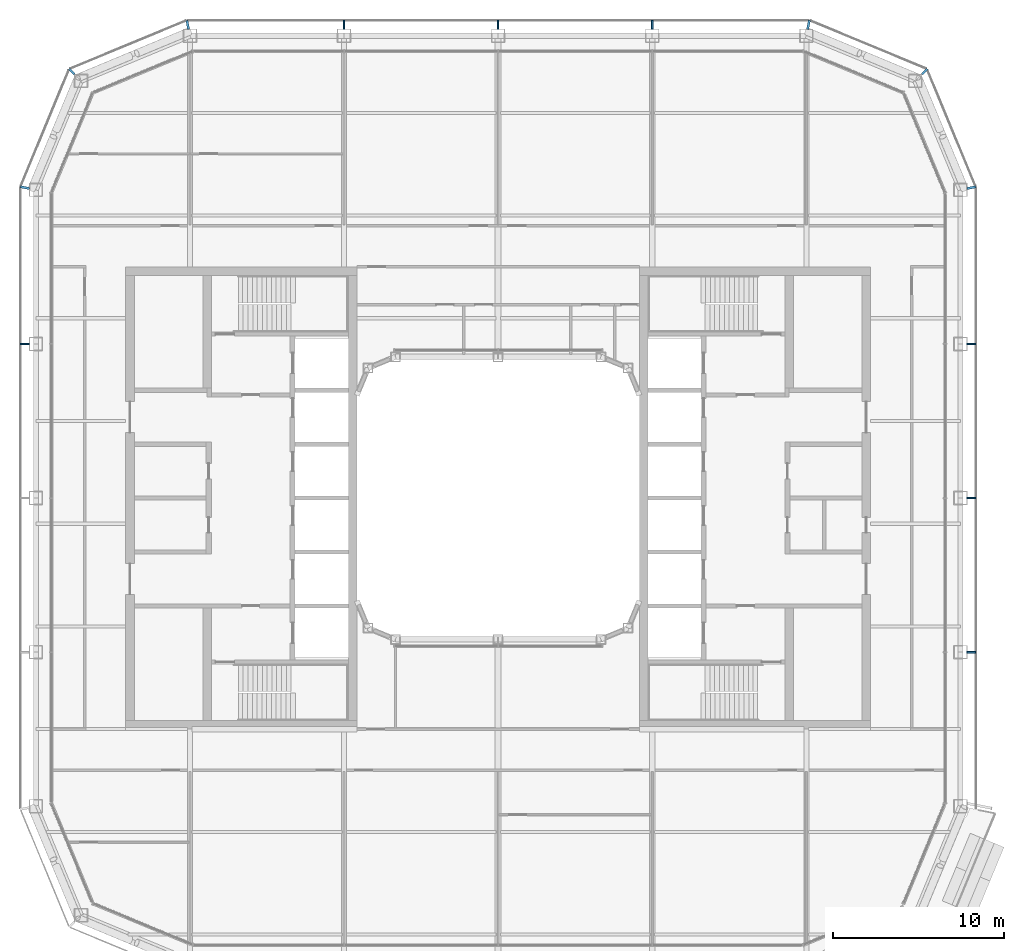
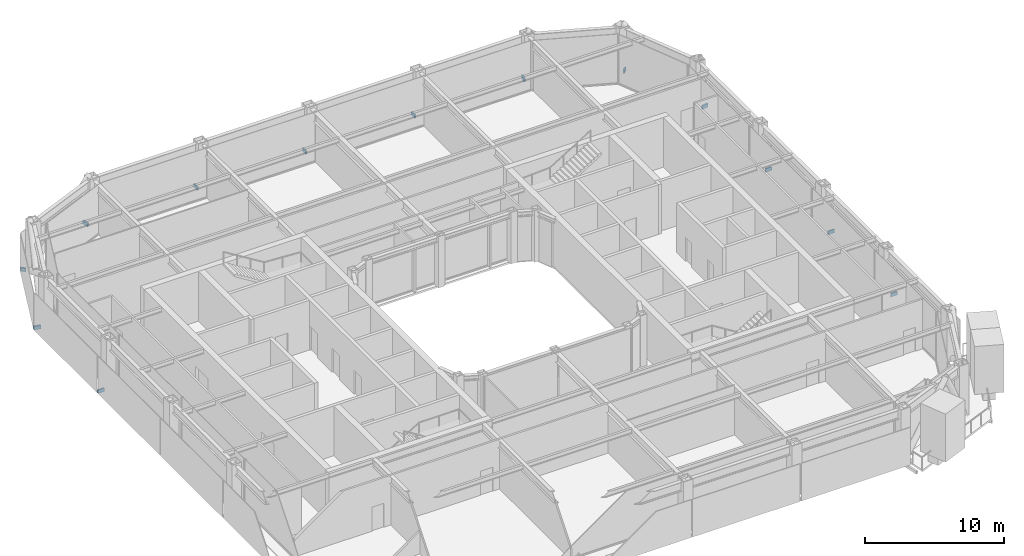
# One storey, part 17 of 22: 13 discrete accessories.
"""IFC4 building model written with IfcOpenShell, lengths in metres."""

from ifc_helpers import new_model, si_unit, direction, frame, origin, origin_2d, place, context, subcontext, project, spatial, rectangle, extrude, material, type_object, element, save


model = new_model("IFC4")

# Units and contexts
model_context = context("Model", 3, precision=1e-05, world=origin(), true_north=direction((0.0, 1.0)))
body_context = subcontext(model_context, "Body", "Model", "MODEL_VIEW")
ifc_project = project(units=[si_unit("LENGTHUNIT", "METRE"), si_unit("AREAUNIT", "SQUARE_METRE"), si_unit("VOLUMEUNIT", "CUBIC_METRE"), si_unit("PLANEANGLEUNIT", "RADIAN"), si_unit("MASSUNIT", "GRAM", prefix="KILO")], contexts=[model_context])

# Site, building, storey
site_placement = place(None, origin())
site = spatial("IfcSite", under=ifc_project, at=site_placement, CompositionType="ELEMENT")
building_placement = place(site_placement, origin())
building = spatial("IfcBuilding", under=site, at=building_placement, Name="Siwar Civic Tower", CompositionType="ELEMENT")
storey_placement = place(building_placement, frame((0.0, 0.0, 255.699951171875)))
storey = spatial("IfcBuildingStorey", under=building, at=storey_placement, Name="L55", CompositionType="ELEMENT", Elevation=255.699951171875)

# Discrete accessories
ifc_material = material(Name="Stainless steel 316", Category="steel")
discrete_accessory_type = type_object("IfcDiscreteAccessoryType", Name="ENV-BRACKET", PredefinedType="BRACKET", material=ifc_material)
for number, where, z_axis, x_axis, name in (
    (1, (27.639892578125, -9.0, -0.14990234375), (0.0, 0.0, 1.0), (1.0, 0.0, 0.0), "Bracket outer skin joint E-01"),
    (2, (27.639892578125, 0.0, -0.14990234375), (0.0, 0.0, 1.0), (1.0, 0.0, 0.0), "Bracket outer skin joint E-02"),
    (3, (27.639892578125, 9.0, -0.14990234375), (0.0, 0.0, 1.0), (1.0, 0.0, 0.0), "Bracket outer skin joint E-03"),
    (4, (9.0, 27.639892578125, -0.14990234375), (0.0, 0.0, 1.0), (0.0, 1.0, 0.0), "Bracket outer skin joint N-01"),
    (5, (0.0, 27.639892578125, -0.14990234375), (0.0, 0.0, 1.0), (0.0, 1.0, 0.0), "Bracket outer skin joint N-02"),
    (6, (-9.0, 27.639892578125, -0.14990234375), (0.0, 0.0, 1.0), (0.0, 1.0, 0.0), "Bracket outer skin joint N-03"),
):
    element("IfcDiscreteAccessory", number, at=place(storey_placement, frame(where, z_axis=z_axis, x_axis=x_axis)), inside=storey, type_object=discrete_accessory_type, Name=name, PredefinedType="BRACKET", context=body_context, shape_type="SweptSolid", body=[
        extrude(rectangle(XDim=0.52001953125, YDim=0.10009765625, at=origin_2d()), origin(), (0.0, 0.0, 1.0), 0.300048828125),
    ])
discrete_accessory_1_placement = place(storey_placement, frame((27.64013671875, 18.12744140625, -0.14990234375), z_axis=(0.0, 0.0, 1.0), x_axis=(0.980785280403, 0.195090322016, 0.0)))
element("IfcDiscreteAccessory", 7, at=discrete_accessory_1_placement, inside=storey, type_object=discrete_accessory_type, Name="Bracket outer skin joint V04", PredefinedType="BRACKET", context=body_context, shape_type="SweptSolid", body=[
    extrude(rectangle(XDim=0.52978515625, YDim=0.13720703125, at=origin_2d()), origin(), (0.0, 0.0, 1.0), 0.300048828125),
])
discrete_accessory_2_placement = place(storey_placement, frame((24.9013671875, 24.9013671875, -0.14990234375), z_axis=(0.0, 0.0, 1.0), x_axis=(0.707106781187, 0.707106781187, 0.0)))
element("IfcDiscreteAccessory", 8, at=discrete_accessory_2_placement, inside=storey, type_object=discrete_accessory_type, Name="Bracket outer skin joint V05", PredefinedType="BRACKET", context=body_context, shape_type="SweptSolid", body=[
    extrude(rectangle(XDim=0.428466796875, YDim=0.12939453125, at=origin_2d()), origin(), (0.0, 0.0, 1.0), 0.300048828125),
])
for number, where, z_axis, x_axis, name in (
    (9, (18.12744140625, 27.64013671875, -0.14990234375), (0.0, 0.0, 1.0), (0.195090322016, 0.980785280403, 0.0), "Bracket outer skin joint V06"),
    (10, (-18.12744140625, 27.64013671875, -0.14990234375), (0.0, 0.0, 1.0), (-0.195090322016, 0.980785280403, 0.0), "Bracket outer skin joint V07"),
):
    element("IfcDiscreteAccessory", number, at=place(storey_placement, frame(where, z_axis=z_axis, x_axis=x_axis)), inside=storey, type_object=discrete_accessory_type, Name=name, PredefinedType="BRACKET", context=body_context, shape_type="SweptSolid", body=[
        extrude(rectangle(XDim=0.52978515625, YDim=0.13720703125, at=origin_2d()), origin(), (0.0, 0.0, 1.0), 0.300048828125),
    ])
discrete_accessory_3_placement = place(storey_placement, frame((-24.9013671875, 24.9013671875, -0.14990234375), z_axis=(0.0, 0.0, 1.0), x_axis=(-0.707106781187, 0.707106781187, 0.0)))
element("IfcDiscreteAccessory", 11, at=discrete_accessory_3_placement, inside=storey, type_object=discrete_accessory_type, Name="Bracket outer skin joint V08", PredefinedType="BRACKET", context=body_context, shape_type="SweptSolid", body=[
    extrude(rectangle(XDim=0.428466796875, YDim=0.12939453125, at=origin_2d()), origin(), (0.0, 0.0, 1.0), 0.300048828125),
])
discrete_accessory_4_placement = place(storey_placement, frame((-27.64013671875, 18.12744140625, -0.14990234375), z_axis=(0.0, 0.0, 1.0), x_axis=(-0.980785280403, 0.195090322016, 0.0)))
element("IfcDiscreteAccessory", 12, at=discrete_accessory_4_placement, inside=storey, type_object=discrete_accessory_type, Name="Bracket outer skin joint V09", PredefinedType="BRACKET", context=body_context, shape_type="SweptSolid", body=[
    extrude(rectangle(XDim=0.52978515625, YDim=0.13720703125, at=origin_2d()), origin(), (0.0, 0.0, 1.0), 0.300048828125),
])
discrete_accessory_5_placement = place(storey_placement, frame((-27.639892578125, 9.0, -0.14990234375), z_axis=(0.0, 0.0, 1.0), x_axis=(-1.0, 0.0, 0.0)))
element("IfcDiscreteAccessory", 13, at=discrete_accessory_5_placement, inside=storey, type_object=discrete_accessory_type, Name="Bracket outer skin joint W-01", PredefinedType="BRACKET", context=body_context, shape_type="SweptSolid", body=[
    extrude(rectangle(XDim=0.52001953125, YDim=0.10009765625, at=origin_2d()), origin(), (0.0, 0.0, 1.0), 0.300048828125),
])

save(model, "model.ifc")
